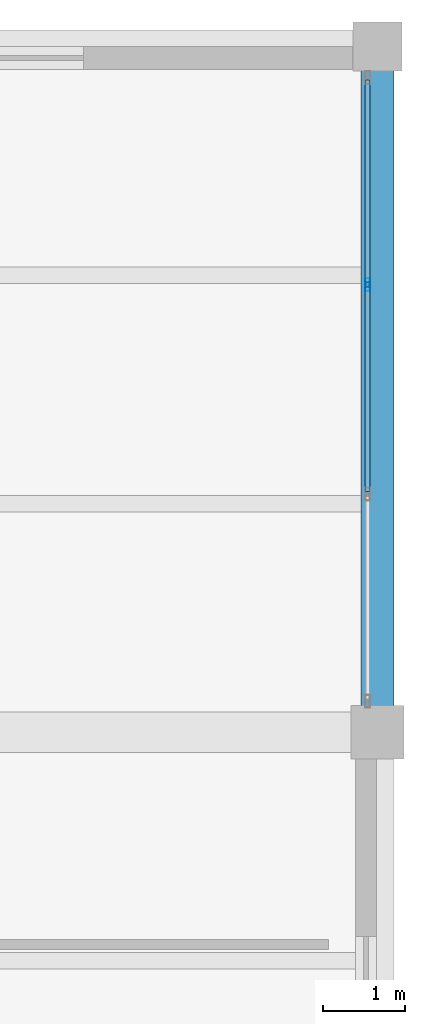
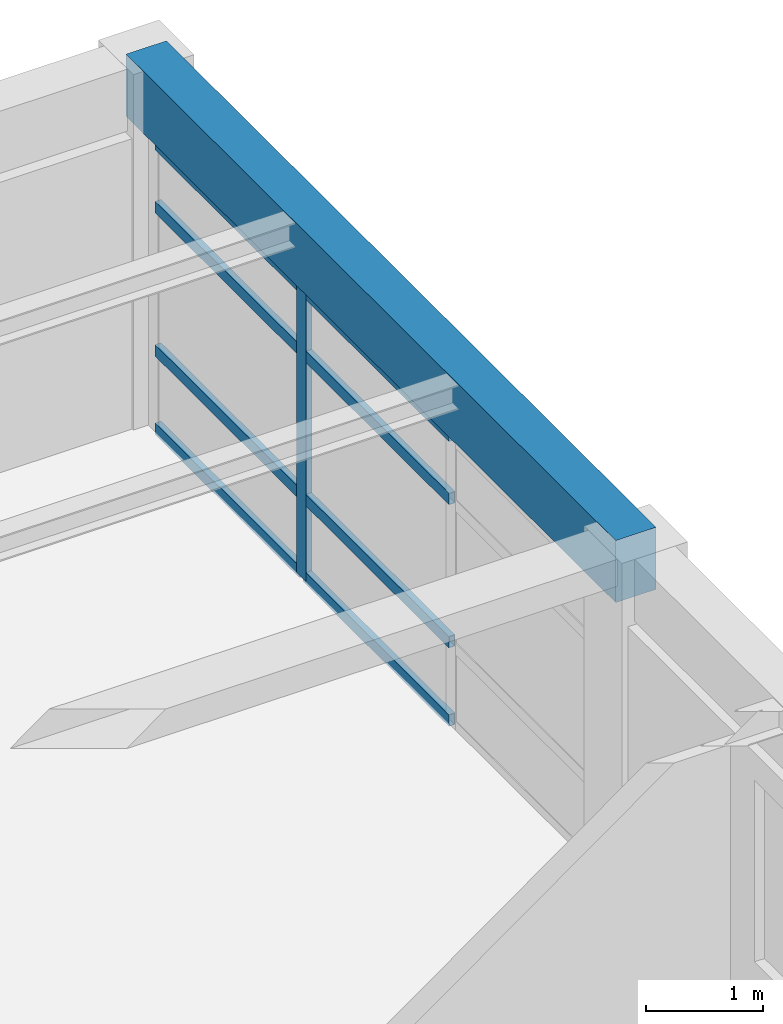
# One storey, part 16 of 26: 9 members, 1 beam, 1 element without a shape of its own.
"""IFC4 building model written with IfcOpenShell, lengths in metres."""

from ifc_helpers import new_model, si_unit, direction, frame, origin, origin_2d, place, context, subcontext, project, spatial, rectangle, hollow_rectangle, extrude, material, material_profile, profile_set, type_object, element, aggregate, save


model = new_model("IFC4")

# Units and contexts
model_context = context("Model", 3, precision=1e-05, world=origin(), true_north=direction((0.0, 1.0)))
body_context = subcontext(model_context, "Body", "Model", "MODEL_VIEW")
ifc_project = project(units=[si_unit("LENGTHUNIT", "METRE"), si_unit("AREAUNIT", "SQUARE_METRE"), si_unit("VOLUMEUNIT", "CUBIC_METRE"), si_unit("PLANEANGLEUNIT", "RADIAN"), si_unit("MASSUNIT", "GRAM", prefix="KILO")], contexts=[model_context])

# Site, building, storey
site_placement = place(None, origin())
site = spatial("IfcSite", under=ifc_project, at=site_placement, CompositionType="ELEMENT")
building_placement = place(site_placement, origin())
building = spatial("IfcBuilding", under=site, at=building_placement, Name="Almacenes y Pasaje Nevantli", CompositionType="ELEMENT")
storey_placement = place(building_placement, frame((0.0, 0.0, 42.699951171875)))
storey = spatial("IfcBuildingStorey", under=building, at=storey_placement, Name="L10", CompositionType="ELEMENT", Elevation=42.699951171875)

# Beam
ifc_material_1 = material(Name="Concrete C35/45", Category="concrete")
ifc_material_profile_1 = material_profile(ifc_material_1, rectangle(XDim=0.39990234375, YDim=0.64990234375, at=origin_2d()), Name="RC-BM-400x650")
ifc_profile_set_1 = profile_set([ifc_material_profile_1], Name="Concrete C35/45")
beam_type = type_object("IfcBeamType", Name="BM-RC-400x650", PredefinedType="SPANDREL", material=ifc_profile_set_1)
beam_placement = place(storey_placement, frame((159.60009765625, 92.39990234375, 3.39501953125), z_axis=(0.0, 1.0, 0.0), x_axis=(-1.0, 0.0, 0.0)))
element("IfcBeam", 1, at=beam_placement, inside=storey, type_object=beam_type, Name="L10 North-South Reinforced Concrete Beam #3843", PredefinedType="SPANDREL", context=body_context, shape_type="SweptSolid", body=[
    extrude(rectangle(XDim=0.39990234375, YDim=0.64990234375, at=origin_2d()), origin(), (0.0, 0.0, 1.0), 8.400146484375),
])

# Curtain wall, members
ifc_material_2 = material(Name="Thermally Broken Aluminium and Low-E Glass", Category="aluminium")
curtain_wall_type = type_object("IfcCurtainWallType", Name="CW-UNIT-TOWER", PredefinedType="USERDEFINED", material=ifc_material_2)
curtain_wall_placement = place(storey_placement, origin())
curtain_wall = element("IfcCurtainWall", 2, at=curtain_wall_placement, inside=storey, type_object=curtain_wall_type, Name="L10 Tower East Curtain Wall Bay 12", ObjectType="UNITIZED CURTAIN WALL", PredefinedType="USERDEFINED")
ifc_material_3 = material(Name="Thermally Broken Anodized Aluminium", Category="aluminium")
ifc_material_profile_2 = material_profile(ifc_material_3, hollow_rectangle(XDim=0.06005859375, YDim=0.159912109375, WallThickness=0.00390625, at=origin_2d()), Name="ALU-MUL-60x160")
ifc_profile_set_2 = profile_set([ifc_material_profile_2], Name="Thermally Broken Anodized Aluminium")
member_type_1 = type_object("IfcMemberType", Name="CW-MUL-180", PredefinedType="MULLION", material=ifc_profile_set_2)
member_1_placement = place(storey_placement, frame((159.47998046875, 97.88330078125, 0.0), z_axis=(0.0, 0.0, 1.0), x_axis=(-1.0, 0.0, 0.0)))
member_1 = element("IfcMember", 3, at=member_1_placement, type_object=member_type_1, Name="CW-L10-149 mullion 3", PredefinedType="MULLION", context=body_context, shape_type="SweptSolid", body=[
    extrude(hollow_rectangle(XDim=0.06005859375, YDim=0.159912109375, WallThickness=0.00390625, at=origin_2d()), origin(), (0.0, 0.0, 1.0), 3.0400390625),
])
ifc_material_4 = material(Name="Thermally Broken Anodized Aluminium", Category="aluminium")
ifc_material_profile_3 = material_profile(ifc_material_4, hollow_rectangle(XDim=0.06005859375, YDim=0.1201171875, WallThickness=0.00341796875, at=origin_2d()), Name="ALU-TRN-60x120")
ifc_profile_set_3 = profile_set([ifc_material_profile_3], Name="Thermally Broken Anodized Aluminium")
member_type_2 = type_object("IfcMemberType", Name="CW-TRN-130", PredefinedType="USERDEFINED", material=ifc_profile_set_3)
member_2_placement = place(storey_placement, frame((159.47998046875, 95.3466796875, 0.030029296875), z_axis=(0.0, 1.0, 0.0), x_axis=(-1.0, 0.0, 0.0)))
member_2 = element("IfcMember", 4, at=member_2_placement, type_object=member_type_2, Name="CW-L10-149 transom 2.1", ObjectType="TRANSOM", PredefinedType="USERDEFINED", context=body_context, shape_type="SweptSolid", body=[
    extrude(hollow_rectangle(XDim=0.06005859375, YDim=0.1201171875, WallThickness=0.00341796875, at=origin_2d()), origin(), (0.0, 0.0, 1.0), 2.506591796875),
])
member_3_placement = place(storey_placement, frame((159.47998046875, 95.3466796875, 0.85009765625), z_axis=(0.0, 1.0, 0.0), x_axis=(-1.0, 0.0, 0.0)))
member_3 = element("IfcMember", 5, at=member_3_placement, type_object=member_type_2, Name="CW-L10-149 transom 2.2", ObjectType="TRANSOM", PredefinedType="USERDEFINED", context=body_context, shape_type="SweptSolid", body=[
    extrude(hollow_rectangle(XDim=0.06005859375, YDim=0.1201171875, WallThickness=0.00341796875, at=origin_2d()), origin(), (0.0, 0.0, 1.0), 2.506591796875),
])
member_4_placement = place(storey_placement, frame((159.47998046875, 95.3466796875, 2.35009765625), z_axis=(0.0, 1.0, 0.0), x_axis=(-1.0, 0.0, 0.0)))
member_4 = element("IfcMember", 6, at=member_4_placement, type_object=member_type_2, Name="CW-L10-149 transom 2.3", ObjectType="TRANSOM", PredefinedType="USERDEFINED", context=body_context, shape_type="SweptSolid", body=[
    extrude(hollow_rectangle(XDim=0.06005859375, YDim=0.1201171875, WallThickness=0.00341796875, at=origin_2d()), origin(), (0.0, 0.0, 1.0), 2.506591796875),
])
member_5_placement = place(storey_placement, frame((159.47998046875, 95.3466796875, 3.010009765625), z_axis=(0.0, 1.0, 0.0), x_axis=(-1.0, 0.0, 0.0)))
member_5 = element("IfcMember", 7, at=member_5_placement, type_object=member_type_2, Name="CW-L10-149 transom 2.4", ObjectType="TRANSOM", PredefinedType="USERDEFINED", context=body_context, shape_type="SweptSolid", body=[
    extrude(hollow_rectangle(XDim=0.06005859375, YDim=0.1201171875, WallThickness=0.00341796875, at=origin_2d()), origin(), (0.0, 0.0, 1.0), 2.506591796875),
])
member_6_placement = place(storey_placement, frame((159.47998046875, 97.913330078125, 0.030029296875), z_axis=(0.0, 1.0, 0.0), x_axis=(-1.0, 0.0, 0.0)))
member_6 = element("IfcMember", 8, at=member_6_placement, type_object=member_type_2, Name="CW-L10-149 transom 3.1", ObjectType="TRANSOM", PredefinedType="USERDEFINED", context=body_context, shape_type="SweptSolid", body=[
    extrude(hollow_rectangle(XDim=0.06005859375, YDim=0.1201171875, WallThickness=0.00341796875, at=origin_2d()), origin(), (0.0, 0.0, 1.0), 2.4765625),
])
member_7_placement = place(storey_placement, frame((159.47998046875, 97.913330078125, 0.85009765625), z_axis=(0.0, 1.0, 0.0), x_axis=(-1.0, 0.0, 0.0)))
member_7 = element("IfcMember", 9, at=member_7_placement, type_object=member_type_2, Name="CW-L10-149 transom 3.2", ObjectType="TRANSOM", PredefinedType="USERDEFINED", context=body_context, shape_type="SweptSolid", body=[
    extrude(hollow_rectangle(XDim=0.06005859375, YDim=0.1201171875, WallThickness=0.00341796875, at=origin_2d()), origin(), (0.0, 0.0, 1.0), 2.4765625),
])
member_8_placement = place(storey_placement, frame((159.47998046875, 97.913330078125, 2.35009765625), z_axis=(0.0, 1.0, 0.0), x_axis=(-1.0, 0.0, 0.0)))
member_8 = element("IfcMember", 10, at=member_8_placement, type_object=member_type_2, Name="CW-L10-149 transom 3.3", ObjectType="TRANSOM", PredefinedType="USERDEFINED", context=body_context, shape_type="SweptSolid", body=[
    extrude(hollow_rectangle(XDim=0.06005859375, YDim=0.1201171875, WallThickness=0.00341796875, at=origin_2d()), origin(), (0.0, 0.0, 1.0), 2.4765625),
])
member_9_placement = place(storey_placement, frame((159.47998046875, 97.913330078125, 3.010009765625), z_axis=(0.0, 1.0, 0.0), x_axis=(-1.0, 0.0, 0.0)))
member_9 = element("IfcMember", 11, at=member_9_placement, type_object=member_type_2, Name="CW-L10-149 transom 3.4", ObjectType="TRANSOM", PredefinedType="USERDEFINED", context=body_context, shape_type="SweptSolid", body=[
    extrude(hollow_rectangle(XDim=0.06005859375, YDim=0.1201171875, WallThickness=0.00341796875, at=origin_2d()), origin(), (0.0, 0.0, 1.0), 2.4765625),
])
aggregate(curtain_wall, [member_1, member_2, member_3, member_4, member_5, member_6, member_7, member_8, member_9])

save(model, "model.ifc")
